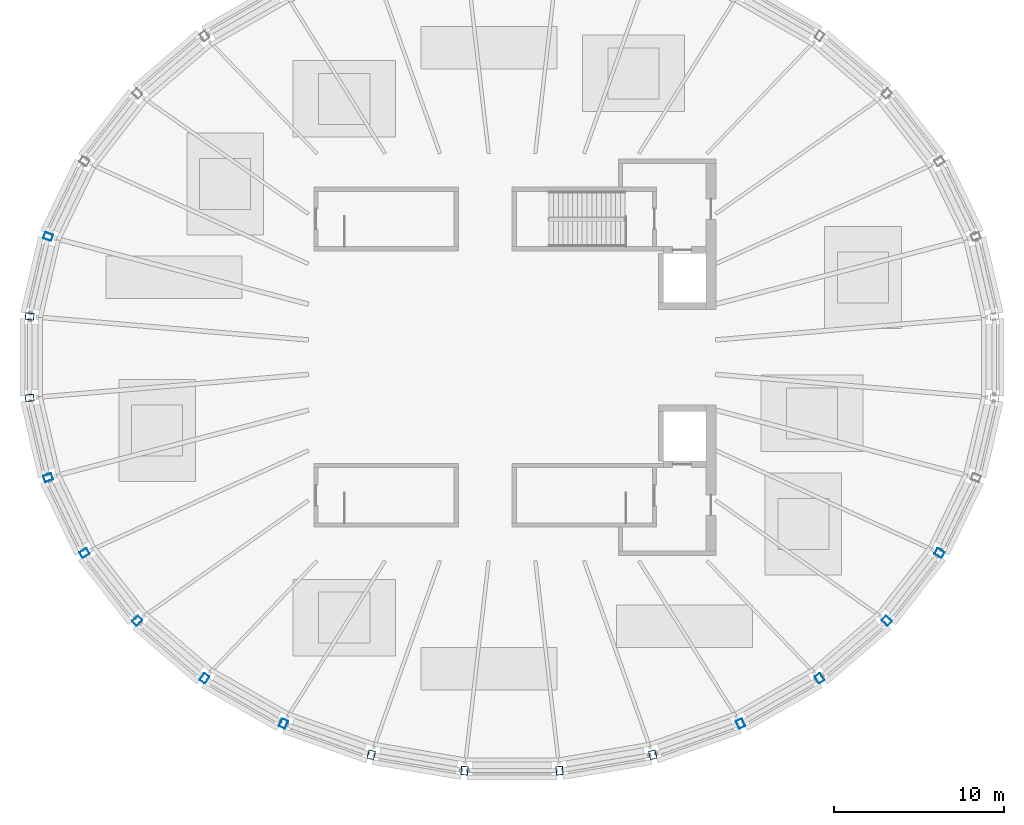
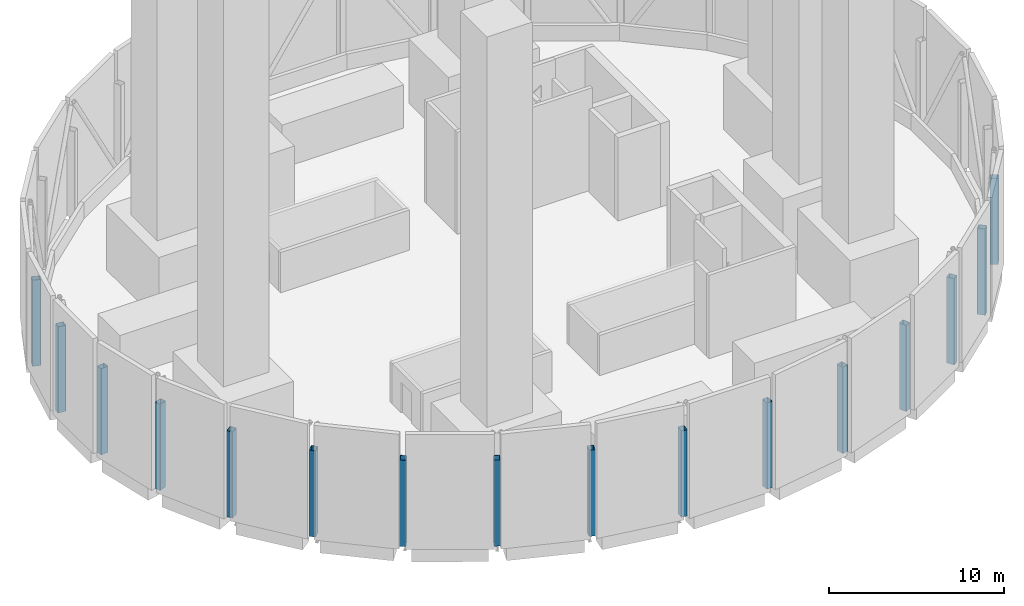
# One storey, part 1 of 7: 16 columns.
"""IFC4 building model written with IfcOpenShell, lengths in metres."""

from ifc_helpers import new_model, si_unit, direction, frame, origin, origin_2d, place, context, subcontext, project, spatial, hollow_rectangle, extrude, material, material_profile, profile_set, type_object, element, save


model = new_model("IFC4")

# Units and contexts
model_context = context("Model", 3, precision=1e-05, world=origin(), true_north=direction((0.0, 1.0)))
body_context = subcontext(model_context, "Body", "Model", "MODEL_VIEW")
ifc_project = project(units=[si_unit("LENGTHUNIT", "METRE"), si_unit("AREAUNIT", "SQUARE_METRE"), si_unit("VOLUMEUNIT", "CUBIC_METRE"), si_unit("PLANEANGLEUNIT", "RADIAN"), si_unit("MASSUNIT", "GRAM", prefix="KILO")], contexts=[model_context])

# Site, building, storey
site_placement = place(None, origin())
site = spatial("IfcSite", under=ifc_project, at=site_placement, CompositionType="ELEMENT")
building_placement = place(site_placement, origin())
building = spatial("IfcBuilding", under=site, at=building_placement, Name="Halqa Exchange Tower", CompositionType="ELEMENT")
storey_placement = place(building_placement, frame((0.0, 0.0, 349.300048828125)))
storey = spatial("IfcBuildingStorey", under=building, at=storey_placement, Name="Roof crown", CompositionType="ELEMENT", Elevation=349.300048828125)

# Columns
ifc_material = material(Name="Steel S355", Category="steel")
ifc_material_profile = material_profile(ifc_material, hollow_rectangle(XDim=0.39990234375, YDim=0.5, WallThickness=0.02001953125, InnerFilletRadius=0.030029296875, OuterFilletRadius=0.0400390625, at=origin_2d()), Name="RHS 500x400x20")
ifc_profile_set = profile_set([ifc_material_profile], Name="Steel S355")
column_type = type_object("IfcColumnType", Name="CROWN FRAME column RHS 500x400x20", PredefinedType="COLUMN", material=ifc_profile_set)
for number, where, z_axis, x_axis, name in (
    (1, (-27.272705078125, 7.09130859375, 0.0), (0.0, 0.0, 1.0), (-0.333624233576, -0.942706142321, 0.0), "Crown frame column 15"),
    (2, (-28.36279296875, 2.394287109375, 0.0), (0.0, 0.0, 1.0), (-0.114160389816, -0.993462332148, 0.0), "Crown frame column 16"),
    (3, (-28.36279296875, -2.394287109375, 0.0), (0.0, 0.0, 1.0), (0.114160389816, -0.993462332148, 0.0), "Crown frame column 17"),
    (4, (-27.272705078125, -7.09130859375, 0.0), (0.0, 0.0, 1.0), (0.333624233576, -0.942706142321, 0.0), "Crown frame column 18"),
    (5, (-25.134765625, -11.515625, 0.0), (0.0, 0.0, 1.0), (0.529140496257, -0.848534227489, 0.0), "Crown frame column 19"),
    (6, (-22.03076171875, -15.497314453125, 0.0), (0.0, 0.0, 1.0), (0.691578612608, -0.722301199351, 0.0), "Crown frame column 20"),
    (7, (-18.080078125, -18.883544921875, 0.0), (0.0, 0.0, 1.0), (0.817906779671, -0.575350762377, 0.0), "Crown frame column 21"),
    (8, (-13.434814453125, -21.544189453125, 0.0), (0.0, 0.0, 1.0), (0.909128549752, -0.416515641994, 0.0), "Crown frame column 22"),
    (9, (-8.273193359375, -23.376708984375, 0.0), (0.0, 0.0, 1.0), (0.967819064366, -0.251647091481, 0.0), "Crown frame column 23"),
    (10, (-2.79345703125, -24.31103515625, 0.0), (0.0, 0.0, 1.0), (0.996455078514, -0.084126550533, 0.0), "Crown frame column 24"),
    (11, (2.79345703125, -24.31103515625, 0.0), (0.0, 0.0, 1.0), (0.996455078514, 0.084126550533, 0.0), "Crown frame column 25"),
    (12, (8.273193359375, -23.376708984375, 0.0), (0.0, 0.0, 1.0), (0.967819064366, 0.251647091481, 0.0), "Crown frame column 26"),
    (13, (13.434814453125, -21.544189453125, 0.0), (0.0, 0.0, 1.0), (0.909128549752, 0.416515641994, 0.0), "Crown frame column 27"),
    (14, (18.080078125, -18.883544921875, 0.0), (0.0, 0.0, 1.0), (0.817906779671, 0.575350762377, 0.0), "Crown frame column 28"),
    (15, (22.03076171875, -15.497314453125, 0.0), (0.0, 0.0, 1.0), (0.691578612608, 0.722301199351, 0.0), "Crown frame column 29"),
    (16, (25.134765625, -11.515625, 0.0), (0.0, 0.0, 1.0), (0.529140496257, 0.848534227489, 0.0), "Crown frame column 30"),
):
    element("IfcColumn", number, at=place(storey_placement, frame(where, z_axis=z_axis, x_axis=x_axis)), inside=storey, type_object=column_type, Name=name, PredefinedType="COLUMN", context=body_context, shape_type="SweptSolid", body=[
        extrude(hollow_rectangle(XDim=0.39990234375, YDim=0.5, WallThickness=0.02001953125, InnerFilletRadius=0.030029296875, OuterFilletRadius=0.0400390625, at=origin_2d()), origin(), (0.0, 0.0, 1.0), 6.0),
    ])

save(model, "model.ifc")
